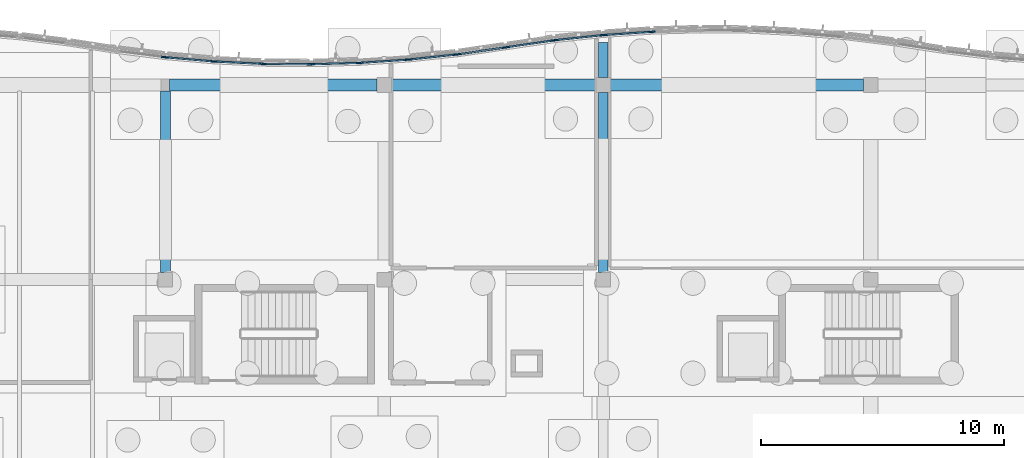
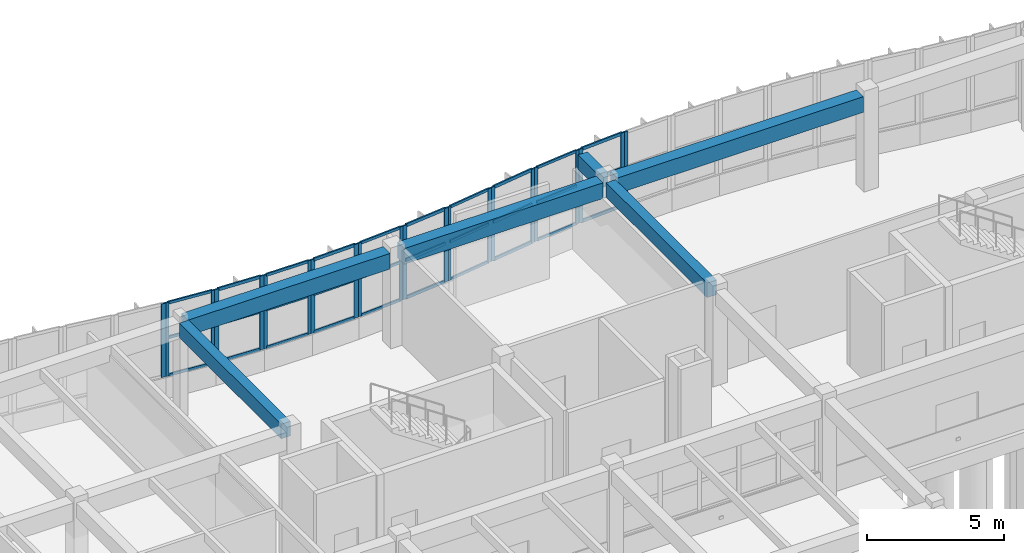
# One storey, part 36 of 99: 52 members, 6 beams, 12 elements without a shape of their own.
"""IFC4 building model written with IfcOpenShell, lengths in metres."""

from ifc_helpers import new_model, si_unit, direction, frame, origin, origin_2d, place, context, subcontext, project, spatial, rectangle, extrude, material, layer, layer_set, material_profile, profile_set, type_object, element, aggregate, save


model = new_model("IFC4")

# Units and contexts
model_context = context("Model", 3, precision=1e-05, world=origin(), true_north=direction((0.0, 1.0)))
body_context = subcontext(model_context, "Body", "Model", "MODEL_VIEW")
ifc_project = project(units=[si_unit("LENGTHUNIT", "METRE"), si_unit("AREAUNIT", "SQUARE_METRE"), si_unit("VOLUMEUNIT", "CUBIC_METRE"), si_unit("PLANEANGLEUNIT", "RADIAN"), si_unit("MASSUNIT", "GRAM", prefix="KILO")], contexts=[model_context])

# Site, building, storey
site_placement = place(None, origin())
site = spatial("IfcSite", under=ifc_project, at=site_placement, CompositionType="ELEMENT")
building_placement = place(site_placement, origin())
building = spatial("IfcBuilding", under=site, at=building_placement, Name="Tonlespit Floodbar School", CompositionType="ELEMENT")
storey_placement = place(building_placement, origin())
storey = spatial("IfcBuildingStorey", under=building, at=storey_placement, Name="L00", CompositionType="ELEMENT", Elevation=0.0)

# Beams
ifc_material_1 = material(Name="Concrete C40/50", Category="concrete")
ifc_material_profile_1 = material_profile(ifc_material_1, rectangle(XDim=0.39990234375, YDim=0.64990234375, at=origin_2d()), Name="RC 400x650")
ifc_profile_set_1 = profile_set([ifc_material_profile_1], Name="Concrete C40/50")
beam_type_1 = type_object("IfcBeamType", Name="Beam_RC_400x650", PredefinedType="BEAM", material=ifc_profile_set_1)
beam_1_placement = place(storey_placement, frame((98.0, 112.300048828125, 3.9150390625), z_axis=(0.0, 1.0, 0.0), x_axis=(-1.0, 0.0, 0.0)))
element("IfcBeam", 1, at=beam_1_placement, inside=storey, type_object=beam_type_1, Name="L00 girder 0254", PredefinedType="BEAM", context=body_context, shape_type="SweptSolid", body=[
    extrude(rectangle(XDim=0.39990234375, YDim=0.64990234375, at=origin_2d()), origin(), (0.0, 0.0, 1.0), 7.449951171875),
])
beam_2_placement = place(storey_placement, frame((116.0, 112.300048828125, 3.9150390625), z_axis=(0.0, 1.0, 0.0), x_axis=(-1.0, 0.0, 0.0)))
element("IfcBeam", 2, at=beam_2_placement, inside=storey, type_object=beam_type_1, Name="L00 girder 0260", PredefinedType="BEAM", context=body_context, shape_type="SweptSolid", body=[
    extrude(rectangle(XDim=0.39990234375, YDim=0.64990234375, at=origin_2d()), origin(), (0.0, 0.0, 1.0), 7.39990234375),
])
beam_3_placement = place(storey_placement, frame((116.0, 120.300048828125, 3.9150390625), z_axis=(0.0, 1.0, 0.0), x_axis=(-1.0, 0.0, 0.0)))
element("IfcBeam", 3, at=beam_3_placement, inside=storey, type_object=beam_type_1, Name="L00 north street wave cantilever bracket", PredefinedType="BEAM", context=body_context, shape_type="SweptSolid", body=[
    extrude(rectangle(XDim=0.39990234375, YDim=0.64990234375, at=origin_2d()), origin(), (0.0, 0.0, 1.0), 1.454345703125),
])

# Curtain wall, members
ifc_material_2 = material(Name="Anodised Aluminium", Category="aluminium")
ifc_layer_1 = layer(ifc_material_2, 0.159912109375)
ifc_layer_set_1 = layer_set([ifc_layer_1], Name="Anodised Aluminium")
curtain_wall_type_1 = type_object("IfcCurtainWallType", Name="CurtainWall_1950x3300", PredefinedType="NOTDEFINED", material=ifc_layer_set_1)
curtain_wall_1_placement = place(storey_placement, origin())
curtain_wall_1 = element("IfcCurtainWall", 4, at=curtain_wall_1_placement, inside=storey, type_object=curtain_wall_type_1, Name="L00 unitised curtain wall 0026", PredefinedType="NOTDEFINED")
ifc_material_profile_2 = material_profile(ifc_material_2, rectangle(XDim=0.06494140625, YDim=0.14990234375, at=origin_2d()), Name="ALU M65x150")
ifc_profile_set_2 = profile_set([ifc_material_profile_2], Name="Anodised Aluminium")
member_type_1 = type_object("IfcMemberType", Name="CW_Mullion_65x150", PredefinedType="MULLION", material=ifc_profile_set_2)
member_1_placement = place(storey_placement, frame((98.072265625, 121.135986328125, 0.949951171875), z_axis=(0.0, 0.0, 1.0), x_axis=(0.086531117454, 0.996249148412, 0.0)))
member_1 = element("IfcMember", 5, at=member_1_placement, type_object=member_type_1, Name="CW-01 mullion 1", PredefinedType="MULLION", context=body_context, shape_type="SweptSolid", body=[
    extrude(rectangle(XDim=0.06494140625, YDim=0.14990234375, at=origin_2d()), origin(), (0.0, 0.0, 1.0), 3.2900390625),
])
member_2_placement = place(storey_placement, frame((99.927734375, 120.974853515625, 0.949951171875), z_axis=(0.0, 0.0, 1.0), x_axis=(0.086531117454, 0.996249148412, 0.0)))
member_2 = element("IfcMember", 6, at=member_2_placement, type_object=member_type_1, Name="CW-01 mullion 2", PredefinedType="MULLION", context=body_context, shape_type="SweptSolid", body=[
    extrude(rectangle(XDim=0.06494140625, YDim=0.14990234375, at=origin_2d()), origin(), (0.0, 0.0, 1.0), 3.2900390625),
])

ifc_layer_2 = layer(ifc_material_2, 0.159912109375)
ifc_layer_set_2 = layer_set([ifc_layer_2], Name="Anodised Aluminium")
curtain_wall_type_2 = type_object("IfcCurtainWallType", Name="CurtainWall_1900x3300", PredefinedType="NOTDEFINED", material=ifc_layer_set_2)
curtain_wall_2_placement = place(storey_placement, origin())
curtain_wall_2 = element("IfcCurtainWall", 7, at=curtain_wall_2_placement, inside=storey, type_object=curtain_wall_type_2, Name="L00 unitised curtain wall 0028", PredefinedType="NOTDEFINED")
member_3_placement = place(storey_placement, frame((102.072509765625, 120.87158203125, 0.949951171875), z_axis=(0.0, 0.0, 1.0), x_axis=(0.009582893292, 0.999954083024, 0.0)))
member_3 = element("IfcMember", 8, at=member_3_placement, type_object=member_type_1, Name="CW-02 mullion 1", PredefinedType="MULLION", context=body_context, shape_type="SweptSolid", body=[
    extrude(rectangle(XDim=0.06494140625, YDim=0.14990234375, at=origin_2d()), origin(), (0.0, 0.0, 1.0), 3.2900390625),
])
member_4_placement = place(storey_placement, frame((103.927490234375, 120.853759765625, 0.949951171875), z_axis=(0.0, 0.0, 1.0), x_axis=(0.009582893292, 0.999954083024, 0.0)))
member_4 = element("IfcMember", 9, at=member_4_placement, type_object=member_type_1, Name="CW-02 mullion 2", PredefinedType="MULLION", context=body_context, shape_type="SweptSolid", body=[
    extrude(rectangle(XDim=0.06494140625, YDim=0.14990234375, at=origin_2d()), origin(), (0.0, 0.0, 1.0), 3.2900390625),
])

curtain_wall_3_placement = place(storey_placement, origin())
curtain_wall_3 = element("IfcCurtainWall", 10, at=curtain_wall_3_placement, inside=storey, type_object=curtain_wall_type_2, Name="L00 unitised curtain wall 0030", PredefinedType="NOTDEFINED")
member_5_placement = place(storey_placement, frame((106.072265625, 120.91552734375, 0.949951171875), z_axis=(0.0, 0.0, 1.0), x_axis=(-0.067339767311, 0.99773010165, 0.0)))
member_5 = element("IfcMember", 11, at=member_5_placement, type_object=member_type_1, Name="CW-02 mullion 1", PredefinedType="MULLION", context=body_context, shape_type="SweptSolid", body=[
    extrude(rectangle(XDim=0.06494140625, YDim=0.14990234375, at=origin_2d()), origin(), (0.0, 0.0, 1.0), 3.2900390625),
])
member_6_placement = place(storey_placement, frame((107.927734375, 121.040771484375, 0.949951171875), z_axis=(0.0, 0.0, 1.0), x_axis=(-0.067339767311, 0.99773010165, 0.0)))
member_6 = element("IfcMember", 12, at=member_6_placement, type_object=member_type_1, Name="CW-02 mullion 2", PredefinedType="MULLION", context=body_context, shape_type="SweptSolid", body=[
    extrude(rectangle(XDim=0.06494140625, YDim=0.14990234375, at=origin_2d()), origin(), (0.0, 0.0, 1.0), 3.2900390625),
])

curtain_wall_4_placement = place(storey_placement, origin())
curtain_wall_4 = element("IfcCurtainWall", 13, at=curtain_wall_4_placement, inside=storey, type_object=curtain_wall_type_1, Name="L00 unitised curtain wall 0032", PredefinedType="NOTDEFINED")
member_7_placement = place(storey_placement, frame((110.07177734375, 121.268798828125, 0.949951171875), z_axis=(0.0, 0.0, 1.0), x_axis=(-0.144248041079, 0.989541561858, 0.0)))
member_7 = element("IfcMember", 14, at=member_7_placement, type_object=member_type_1, Name="CW-01 mullion 1", PredefinedType="MULLION", context=body_context, shape_type="SweptSolid", body=[
    extrude(rectangle(XDim=0.06494140625, YDim=0.14990234375, at=origin_2d()), origin(), (0.0, 0.0, 1.0), 3.2900390625),
])
member_8_placement = place(storey_placement, frame((111.92822265625, 121.53955078125, 0.949951171875), z_axis=(0.0, 0.0, 1.0), x_axis=(-0.144248041079, 0.989541561858, 0.0)))
member_8 = element("IfcMember", 15, at=member_8_placement, type_object=member_type_1, Name="CW-01 mullion 2", PredefinedType="MULLION", context=body_context, shape_type="SweptSolid", body=[
    extrude(rectangle(XDim=0.06494140625, YDim=0.14990234375, at=origin_2d()), origin(), (0.0, 0.0, 1.0), 3.2900390625),
])

curtain_wall_5_placement = place(storey_placement, origin())
curtain_wall_5 = element("IfcCurtainWall", 16, at=curtain_wall_5_placement, inside=storey, type_object=curtain_wall_type_1, Name="L00 unitised curtain wall 0034", PredefinedType="NOTDEFINED")
member_9_placement = place(storey_placement, frame((114.072021484375, 121.84912109375, 0.949951171875), z_axis=(0.0, 0.0, 1.0), x_axis=(-0.105787143968, 0.994388797288, 0.0)))
member_9 = element("IfcMember", 17, at=member_9_placement, type_object=member_type_1, Name="CW-01 mullion 1", PredefinedType="MULLION", context=body_context, shape_type="SweptSolid", body=[
    extrude(rectangle(XDim=0.06494140625, YDim=0.14990234375, at=origin_2d()), origin(), (0.0, 0.0, 1.0), 3.2900390625),
])
member_10_placement = place(storey_placement, frame((115.927978515625, 122.046630859375, 0.949951171875), z_axis=(0.0, 0.0, 1.0), x_axis=(-0.105787143968, 0.994388797288, 0.0)))
member_10 = element("IfcMember", 18, at=member_10_placement, type_object=member_type_1, Name="CW-01 mullion 2", PredefinedType="MULLION", context=body_context, shape_type="SweptSolid", body=[
    extrude(rectangle(XDim=0.06494140625, YDim=0.14990234375, at=origin_2d()), origin(), (0.0, 0.0, 1.0), 3.2900390625),
])

# Curtain wall, member
curtain_wall_6_placement = place(storey_placement, origin())
curtain_wall_6 = element("IfcCurtainWall", 19, at=curtain_wall_6_placement, inside=storey, type_object=curtain_wall_type_2, Name="L00 unitised curtain wall 0340", PredefinedType="NOTDEFINED")
member_11_placement = place(storey_placement, frame((118.072509765625, 122.19140625, 0.949951171875), z_axis=(0.0, 0.0, 1.0), x_axis=(-0.028790144226, 0.999585477883, 0.0)))
member_11 = element("IfcMember", 20, at=member_11_placement, type_object=member_type_1, Name="CW-02 mullion 1", PredefinedType="MULLION", context=body_context, shape_type="SweptSolid", body=[
    extrude(rectangle(XDim=0.06494140625, YDim=0.14990234375, at=origin_2d()), origin(), (0.0, 0.0, 1.0), 3.2900390625),
])
aggregate(curtain_wall_6, [member_11])

curtain_wall_7_placement = place(storey_placement, origin())
curtain_wall_7 = element("IfcCurtainWall", 21, at=curtain_wall_7_placement, inside=storey, type_object=curtain_wall_type_1, Name="L00 unitised curtain wall 0025", PredefinedType="NOTDEFINED")
ifc_material_profile_3 = material_profile(ifc_material_2, rectangle(XDim=0.06494140625, YDim=0.179931640625, at=origin_2d()), Name="ALU M65x180")
ifc_profile_set_3 = profile_set([ifc_material_profile_3], Name="Anodised Aluminium")
member_type_2 = type_object("IfcMemberType", Name="CW_Mullion_65x180", PredefinedType="MULLION", material=ifc_profile_set_3)
member_12_placement = place(storey_placement, frame((97.927978515625, 121.1513671875, 0.949951171875), z_axis=(0.0, 0.0, 1.0), x_axis=(0.125013803299, 0.992155002499, 0.0)))
member_12 = element("IfcMember", 22, at=member_12_placement, type_object=member_type_2, Name="CW-01 mullion 2", PredefinedType="MULLION", context=body_context, shape_type="SweptSolid", body=[
    extrude(rectangle(XDim=0.06494140625, YDim=0.179931640625, at=origin_2d()), origin(), (0.0, 0.0, 1.0), 3.2900390625),
])
aggregate(curtain_wall_7, [member_12])

# Curtain wall, members
curtain_wall_8_placement = place(storey_placement, origin())
curtain_wall_8 = element("IfcCurtainWall", 23, at=curtain_wall_8_placement, inside=storey, type_object=curtain_wall_type_2, Name="L00 unitised curtain wall 0027", PredefinedType="NOTDEFINED")
member_13_placement = place(storey_placement, frame((100.072509765625, 120.965087890625, 0.949951171875), z_axis=(0.0, 0.0, 1.0), x_axis=(0.048121270216, 0.998841500616, 0.0)))
member_13 = element("IfcMember", 24, at=member_13_placement, type_object=member_type_2, Name="CW-02 mullion 1", PredefinedType="MULLION", context=body_context, shape_type="SweptSolid", body=[
    extrude(rectangle(XDim=0.06494140625, YDim=0.179931640625, at=origin_2d()), origin(), (0.0, 0.0, 1.0), 3.2900390625),
])
member_14_placement = place(storey_placement, frame((101.927490234375, 120.875732421875, 0.949951171875), z_axis=(0.0, 0.0, 1.0), x_axis=(0.048121270216, 0.998841500616, 0.0)))
member_14 = element("IfcMember", 25, at=member_14_placement, type_object=member_type_2, Name="CW-02 mullion 2", PredefinedType="MULLION", context=body_context, shape_type="SweptSolid", body=[
    extrude(rectangle(XDim=0.06494140625, YDim=0.179931640625, at=origin_2d()), origin(), (0.0, 0.0, 1.0), 3.2900390625),
])

curtain_wall_9_placement = place(storey_placement, origin())
curtain_wall_9 = element("IfcCurtainWall", 26, at=curtain_wall_9_placement, inside=storey, type_object=curtain_wall_type_2, Name="L00 unitised curtain wall 0029", PredefinedType="NOTDEFINED")
member_15_placement = place(storey_placement, frame((104.072509765625, 120.855224609375, 0.949951171875), z_axis=(0.0, 0.0, 1.0), x_axis=(-0.028790144226, 0.999585477883, 0.0)))
member_15 = element("IfcMember", 27, at=member_15_placement, type_object=member_type_2, Name="CW-02 mullion 1", PredefinedType="MULLION", context=body_context, shape_type="SweptSolid", body=[
    extrude(rectangle(XDim=0.06494140625, YDim=0.179931640625, at=origin_2d()), origin(), (0.0, 0.0, 1.0), 3.2900390625),
])
member_16_placement = place(storey_placement, frame((105.927490234375, 120.908447265625, 0.949951171875), z_axis=(0.0, 0.0, 1.0), x_axis=(-0.028790144226, 0.999585477883, 0.0)))
member_16 = element("IfcMember", 28, at=member_16_placement, type_object=member_type_2, Name="CW-02 mullion 2", PredefinedType="MULLION", context=body_context, shape_type="SweptSolid", body=[
    extrude(rectangle(XDim=0.06494140625, YDim=0.179931640625, at=origin_2d()), origin(), (0.0, 0.0, 1.0), 3.2900390625),
])

curtain_wall_10_placement = place(storey_placement, origin())
curtain_wall_10 = element("IfcCurtainWall", 29, at=curtain_wall_10_placement, inside=storey, type_object=curtain_wall_type_1, Name="L00 unitised curtain wall 0031", PredefinedType="NOTDEFINED")
member_17_placement = place(storey_placement, frame((108.072021484375, 121.05322265625, 0.949951171875), z_axis=(0.0, 0.0, 1.0), x_axis=(-0.105787143968, 0.994388797288, 0.0)))
member_17 = element("IfcMember", 30, at=member_17_placement, type_object=member_type_2, Name="CW-01 mullion 1", PredefinedType="MULLION", context=body_context, shape_type="SweptSolid", body=[
    extrude(rectangle(XDim=0.06494140625, YDim=0.179931640625, at=origin_2d()), origin(), (0.0, 0.0, 1.0), 3.2900390625),
])
member_18_placement = place(storey_placement, frame((109.927978515625, 121.250732421875, 0.949951171875), z_axis=(0.0, 0.0, 1.0), x_axis=(-0.105787143968, 0.994388797288, 0.0)))
member_18 = element("IfcMember", 31, at=member_18_placement, type_object=member_type_2, Name="CW-01 mullion 2", PredefinedType="MULLION", context=body_context, shape_type="SweptSolid", body=[
    extrude(rectangle(XDim=0.06494140625, YDim=0.179931640625, at=origin_2d()), origin(), (0.0, 0.0, 1.0), 3.2900390625),
])

curtain_wall_11_placement = place(storey_placement, origin())
curtain_wall_11 = element("IfcCurtainWall", 32, at=curtain_wall_11_placement, inside=storey, type_object=curtain_wall_type_1, Name="L00 unitised curtain wall 0033", PredefinedType="NOTDEFINED")
member_19_placement = place(storey_placement, frame((112.07177734375, 121.560546875, 0.949951171875), z_axis=(0.0, 0.0, 1.0), x_axis=(-0.144248041079, 0.989541561858, 0.0)))
member_19 = element("IfcMember", 33, at=member_19_placement, type_object=member_type_2, Name="CW-01 mullion 1", PredefinedType="MULLION", context=body_context, shape_type="SweptSolid", body=[
    extrude(rectangle(XDim=0.06494140625, YDim=0.179931640625, at=origin_2d()), origin(), (0.0, 0.0, 1.0), 3.2900390625),
])
member_20_placement = place(storey_placement, frame((113.92822265625, 121.8310546875, 0.949951171875), z_axis=(0.0, 0.0, 1.0), x_axis=(-0.144248041079, 0.989541561858, 0.0)))
member_20 = element("IfcMember", 34, at=member_20_placement, type_object=member_type_2, Name="CW-01 mullion 2", PredefinedType="MULLION", context=body_context, shape_type="SweptSolid", body=[
    extrude(rectangle(XDim=0.06494140625, YDim=0.179931640625, at=origin_2d()), origin(), (0.0, 0.0, 1.0), 3.2900390625),
])

curtain_wall_12_placement = place(storey_placement, origin())
curtain_wall_12 = element("IfcCurtainWall", 35, at=curtain_wall_12_placement, inside=storey, type_object=curtain_wall_type_2, Name="L00 unitised curtain wall 0339", PredefinedType="NOTDEFINED")
member_21_placement = place(storey_placement, frame((116.072265625, 122.05908203125, 0.949951171875), z_axis=(0.0, 0.0, 1.0), x_axis=(-0.067339767311, 0.99773010165, 0.0)))
member_21 = element("IfcMember", 36, at=member_21_placement, type_object=member_type_2, Name="CW-02 mullion 1", PredefinedType="MULLION", context=body_context, shape_type="SweptSolid", body=[
    extrude(rectangle(XDim=0.06494140625, YDim=0.179931640625, at=origin_2d()), origin(), (0.0, 0.0, 1.0), 3.2900390625),
])
member_22_placement = place(storey_placement, frame((117.927734375, 122.184326171875, 0.949951171875), z_axis=(0.0, 0.0, 1.0), x_axis=(-0.067339767311, 0.99773010165, 0.0)))
member_22 = element("IfcMember", 37, at=member_22_placement, type_object=member_type_2, Name="CW-02 mullion 2", PredefinedType="MULLION", context=body_context, shape_type="SweptSolid", body=[
    extrude(rectangle(XDim=0.06494140625, YDim=0.179931640625, at=origin_2d()), origin(), (0.0, 0.0, 1.0), 3.2900390625),
])

# Member
ifc_material_profile_4 = material_profile(ifc_material_2, rectangle(XDim=0.06494140625, YDim=0.1201171875, at=origin_2d()), Name="ALU T65x120")
ifc_profile_set_4 = profile_set([ifc_material_profile_4], Name="Anodised Aluminium")
member_type_3 = type_object("IfcMemberType", Name="CW_Transom_65x120", PredefinedType="USERDEFINED", material=ifc_profile_set_4)
member_23_placement = place(storey_placement, frame((98.1044921875, 121.133056640625, 0.982421875), z_axis=(0.996251281774, -0.086506552139, 0.0), x_axis=(0.086506552139, 0.996251281774, 0.0)))
member_23 = element("IfcMember", 38, at=member_23_placement, type_object=member_type_3, Name="CW-01 transom 1.1", ObjectType="TRANSOM", PredefinedType="USERDEFINED", context=body_context, shape_type="SweptSolid", body=[
    extrude(rectangle(XDim=0.06494140625, YDim=0.1201171875, at=origin_2d()), origin(), (0.0, 0.0, 1.0), 1.7978515625),
])

member_24_placement = place(storey_placement, frame((98.1044921875, 121.133056640625, 2.660888671875), z_axis=(0.996251281774, -0.086506552139, 0.0), x_axis=(0.086506552139, 0.996251281774, 0.0)))
member_24 = element("IfcMember", 39, at=member_24_placement, type_object=member_type_3, Name="CW-01 transom 1.2", ObjectType="TRANSOM", PredefinedType="USERDEFINED", context=body_context, shape_type="SweptSolid", body=[
    extrude(rectangle(XDim=0.06494140625, YDim=0.1201171875, at=origin_2d()), origin(), (0.0, 0.0, 1.0), 1.7978515625),
])

member_25_placement = place(storey_placement, frame((98.1044921875, 121.133056640625, 4.20751953125), z_axis=(0.996251281774, -0.086506552139, 0.0), x_axis=(0.086506552139, 0.996251281774, 0.0)))
member_25 = element("IfcMember", 40, at=member_25_placement, type_object=member_type_3, Name="CW-01 transom 1.3", ObjectType="TRANSOM", PredefinedType="USERDEFINED", context=body_context, shape_type="SweptSolid", body=[
    extrude(rectangle(XDim=0.06494140625, YDim=0.1201171875, at=origin_2d()), origin(), (0.0, 0.0, 1.0), 1.7978515625),
])

aggregate(curtain_wall_1, [member_1, member_2, member_23, member_24, member_25])

member_26_placement = place(storey_placement, frame((102.10498046875, 120.87109375, 0.982421875), z_axis=(0.999954428693, -0.00954675532, 0.0), x_axis=(0.00954675532, 0.999954428693, 0.0)))
member_26 = element("IfcMember", 41, at=member_26_placement, type_object=member_type_3, Name="CW-02 transom 1.1", ObjectType="TRANSOM", PredefinedType="USERDEFINED", context=body_context, shape_type="SweptSolid", body=[
    extrude(rectangle(XDim=0.06494140625, YDim=0.1201171875, at=origin_2d()), origin(), (0.0, 0.0, 1.0), 1.7900390625),
])

member_27_placement = place(storey_placement, frame((102.10498046875, 120.87109375, 2.660888671875), z_axis=(0.999954428693, -0.00954675532, 0.0), x_axis=(0.00954675532, 0.999954428693, 0.0)))
member_27 = element("IfcMember", 42, at=member_27_placement, type_object=member_type_3, Name="CW-02 transom 1.2", ObjectType="TRANSOM", PredefinedType="USERDEFINED", context=body_context, shape_type="SweptSolid", body=[
    extrude(rectangle(XDim=0.06494140625, YDim=0.1201171875, at=origin_2d()), origin(), (0.0, 0.0, 1.0), 1.7900390625),
])

member_28_placement = place(storey_placement, frame((102.10498046875, 120.87109375, 4.20751953125), z_axis=(0.999954428693, -0.00954675532, 0.0), x_axis=(0.00954675532, 0.999954428693, 0.0)))
member_28 = element("IfcMember", 43, at=member_28_placement, type_object=member_type_3, Name="CW-02 transom 1.3", ObjectType="TRANSOM", PredefinedType="USERDEFINED", context=body_context, shape_type="SweptSolid", body=[
    extrude(rectangle(XDim=0.06494140625, YDim=0.1201171875, at=origin_2d()), origin(), (0.0, 0.0, 1.0), 1.7900390625),
])

aggregate(curtain_wall_2, [member_3, member_4, member_26, member_27, member_28])

member_29_placement = place(storey_placement, frame((106.104736328125, 120.917724609375, 0.982421875), z_axis=(0.997730041674, 0.067340655935, 0.0), x_axis=(-0.067340655935, 0.997730041674, 0.0)))
member_29 = element("IfcMember", 44, at=member_29_placement, type_object=member_type_3, Name="CW-02 transom 1.1", ObjectType="TRANSOM", PredefinedType="USERDEFINED", context=body_context, shape_type="SweptSolid", body=[
    extrude(rectangle(XDim=0.06494140625, YDim=0.1201171875, at=origin_2d()), origin(), (0.0, 0.0, 1.0), 1.794677734375),
])

member_30_placement = place(storey_placement, frame((106.104736328125, 120.917724609375, 2.660888671875), z_axis=(0.997730041674, 0.067340655935, 0.0), x_axis=(-0.067340655935, 0.997730041674, 0.0)))
member_30 = element("IfcMember", 45, at=member_30_placement, type_object=member_type_3, Name="CW-02 transom 1.2", ObjectType="TRANSOM", PredefinedType="USERDEFINED", context=body_context, shape_type="SweptSolid", body=[
    extrude(rectangle(XDim=0.06494140625, YDim=0.1201171875, at=origin_2d()), origin(), (0.0, 0.0, 1.0), 1.794677734375),
])

member_31_placement = place(storey_placement, frame((106.104736328125, 120.917724609375, 4.20751953125), z_axis=(0.997730041674, 0.067340655935, 0.0), x_axis=(-0.067340655935, 0.997730041674, 0.0)))
member_31 = element("IfcMember", 46, at=member_31_placement, type_object=member_type_3, Name="CW-02 transom 1.3", ObjectType="TRANSOM", PredefinedType="USERDEFINED", context=body_context, shape_type="SweptSolid", body=[
    extrude(rectangle(XDim=0.06494140625, YDim=0.1201171875, at=origin_2d()), origin(), (0.0, 0.0, 1.0), 1.794677734375),
])

aggregate(curtain_wall_3, [member_5, member_6, member_29, member_30, member_31])

member_32_placement = place(storey_placement, frame((110.10400390625, 121.273681640625, 0.982421875), z_axis=(0.989541000818, 0.144251889765, 0.0), x_axis=(-0.144251889765, 0.989541000818, 0.0)))
member_32 = element("IfcMember", 47, at=member_32_placement, type_object=member_type_3, Name="CW-01 transom 1.1", ObjectType="TRANSOM", PredefinedType="USERDEFINED", context=body_context, shape_type="SweptSolid", body=[
    extrude(rectangle(XDim=0.06494140625, YDim=0.1201171875, at=origin_2d()), origin(), (0.0, 0.0, 1.0), 1.81103515625),
])

member_33_placement = place(storey_placement, frame((110.10400390625, 121.273681640625, 2.660888671875), z_axis=(0.989541000818, 0.144251889765, 0.0), x_axis=(-0.144251889765, 0.989541000818, 0.0)))
member_33 = element("IfcMember", 48, at=member_33_placement, type_object=member_type_3, Name="CW-01 transom 1.2", ObjectType="TRANSOM", PredefinedType="USERDEFINED", context=body_context, shape_type="SweptSolid", body=[
    extrude(rectangle(XDim=0.06494140625, YDim=0.1201171875, at=origin_2d()), origin(), (0.0, 0.0, 1.0), 1.81103515625),
])

member_34_placement = place(storey_placement, frame((110.10400390625, 121.273681640625, 4.20751953125), z_axis=(0.989541000818, 0.144251889765, 0.0), x_axis=(-0.144251889765, 0.989541000818, 0.0)))
member_34 = element("IfcMember", 49, at=member_34_placement, type_object=member_type_3, Name="CW-01 transom 1.3", ObjectType="TRANSOM", PredefinedType="USERDEFINED", context=body_context, shape_type="SweptSolid", body=[
    extrude(rectangle(XDim=0.06494140625, YDim=0.1201171875, at=origin_2d()), origin(), (0.0, 0.0, 1.0), 1.81103515625),
])

aggregate(curtain_wall_4, [member_7, member_8, member_32, member_33, member_34])

member_35_placement = place(storey_placement, frame((114.1044921875, 121.852783203125, 0.982421875), z_axis=(0.994394979136, 0.105729019047, 0.0), x_axis=(-0.105729019047, 0.994394979136, 0.0)))
member_35 = element("IfcMember", 50, at=member_35_placement, type_object=member_type_3, Name="CW-01 transom 1.1", ObjectType="TRANSOM", PredefinedType="USERDEFINED", context=body_context, shape_type="SweptSolid", body=[
    extrude(rectangle(XDim=0.06494140625, YDim=0.1201171875, at=origin_2d()), origin(), (0.0, 0.0, 1.0), 1.801025390625),
])

member_36_placement = place(storey_placement, frame((114.1044921875, 121.852783203125, 2.660888671875), z_axis=(0.994394979136, 0.105729019047, 0.0), x_axis=(-0.105729019047, 0.994394979136, 0.0)))
member_36 = element("IfcMember", 51, at=member_36_placement, type_object=member_type_3, Name="CW-01 transom 1.2", ObjectType="TRANSOM", PredefinedType="USERDEFINED", context=body_context, shape_type="SweptSolid", body=[
    extrude(rectangle(XDim=0.06494140625, YDim=0.1201171875, at=origin_2d()), origin(), (0.0, 0.0, 1.0), 1.801025390625),
])

member_37_placement = place(storey_placement, frame((114.1044921875, 121.852783203125, 4.20751953125), z_axis=(0.994394979136, 0.105729019047, 0.0), x_axis=(-0.105729019047, 0.994394979136, 0.0)))
member_37 = element("IfcMember", 52, at=member_37_placement, type_object=member_type_3, Name="CW-01 transom 1.3", ObjectType="TRANSOM", PredefinedType="USERDEFINED", context=body_context, shape_type="SweptSolid", body=[
    extrude(rectangle(XDim=0.06494140625, YDim=0.1201171875, at=origin_2d()), origin(), (0.0, 0.0, 1.0), 1.801025390625),
])

aggregate(curtain_wall_5, [member_9, member_10, member_35, member_36, member_37])

ifc_material_profile_5 = material_profile(ifc_material_2, rectangle(XDim=0.06494140625, YDim=0.139892578125, at=origin_2d()), Name="ALU T65x140")
ifc_profile_set_5 = profile_set([ifc_material_profile_5], Name="Anodised Aluminium")
member_type_4 = type_object("IfcMemberType", Name="CW_Transom_65x140", PredefinedType="USERDEFINED", material=ifc_profile_set_5)
member_38_placement = place(storey_placement, frame((100.10498046875, 120.96337890625, 0.982421875), z_axis=(0.998843034795, -0.048089415069, 0.0), x_axis=(0.048089415069, 0.998843034795, 0.0)))
member_38 = element("IfcMember", 53, at=member_38_placement, type_object=member_type_4, Name="CW-02 transom 1.1", ObjectType="TRANSOM", PredefinedType="USERDEFINED", context=body_context, shape_type="SweptSolid", body=[
    extrude(rectangle(XDim=0.06494140625, YDim=0.139892578125, at=origin_2d()), origin(), (0.0, 0.0, 1.0), 1.7919921875),
])

member_39_placement = place(storey_placement, frame((100.10498046875, 120.96337890625, 2.660888671875), z_axis=(0.998843034795, -0.048089415069, 0.0), x_axis=(0.048089415069, 0.998843034795, 0.0)))
member_39 = element("IfcMember", 54, at=member_39_placement, type_object=member_type_4, Name="CW-02 transom 1.2", ObjectType="TRANSOM", PredefinedType="USERDEFINED", context=body_context, shape_type="SweptSolid", body=[
    extrude(rectangle(XDim=0.06494140625, YDim=0.139892578125, at=origin_2d()), origin(), (0.0, 0.0, 1.0), 1.7919921875),
])

member_40_placement = place(storey_placement, frame((100.10498046875, 120.96337890625, 4.20751953125), z_axis=(0.998843034795, -0.048089415069, 0.0), x_axis=(0.048089415069, 0.998843034795, 0.0)))
member_40 = element("IfcMember", 55, at=member_40_placement, type_object=member_type_4, Name="CW-02 transom 1.3", ObjectType="TRANSOM", PredefinedType="USERDEFINED", context=body_context, shape_type="SweptSolid", body=[
    extrude(rectangle(XDim=0.06494140625, YDim=0.139892578125, at=origin_2d()), origin(), (0.0, 0.0, 1.0), 1.7919921875),
])

aggregate(curtain_wall_8, [member_13, member_14, member_38, member_39, member_40])

member_41_placement = place(storey_placement, frame((104.10498046875, 120.85595703125, 0.982421875), z_axis=(0.999582242166, 0.028902268868, 0.0), x_axis=(-0.028902268868, 0.999582242166, 0.0)))
member_41 = element("IfcMember", 56, at=member_41_placement, type_object=member_type_4, Name="CW-02 transom 1.1", ObjectType="TRANSOM", PredefinedType="USERDEFINED", context=body_context, shape_type="SweptSolid", body=[
    extrude(rectangle(XDim=0.06494140625, YDim=0.139892578125, at=origin_2d()), origin(), (0.0, 0.0, 1.0), 1.790771484375),
])

member_42_placement = place(storey_placement, frame((104.10498046875, 120.85595703125, 2.660888671875), z_axis=(0.999582242166, 0.028902268868, 0.0), x_axis=(-0.028902268868, 0.999582242166, 0.0)))
member_42 = element("IfcMember", 57, at=member_42_placement, type_object=member_type_4, Name="CW-02 transom 1.2", ObjectType="TRANSOM", PredefinedType="USERDEFINED", context=body_context, shape_type="SweptSolid", body=[
    extrude(rectangle(XDim=0.06494140625, YDim=0.139892578125, at=origin_2d()), origin(), (0.0, 0.0, 1.0), 1.790771484375),
])

member_43_placement = place(storey_placement, frame((104.10498046875, 120.85595703125, 4.20751953125), z_axis=(0.999582242166, 0.028902268868, 0.0), x_axis=(-0.028902268868, 0.999582242166, 0.0)))
member_43 = element("IfcMember", 58, at=member_43_placement, type_object=member_type_4, Name="CW-02 transom 1.3", ObjectType="TRANSOM", PredefinedType="USERDEFINED", context=body_context, shape_type="SweptSolid", body=[
    extrude(rectangle(XDim=0.06494140625, YDim=0.139892578125, at=origin_2d()), origin(), (0.0, 0.0, 1.0), 1.790771484375),
])

aggregate(curtain_wall_9, [member_15, member_16, member_41, member_42, member_43])

member_44_placement = place(storey_placement, frame((108.1044921875, 121.056884765625, 0.982421875), z_axis=(0.994394979136, 0.105729019047, 0.0), x_axis=(-0.105729019047, 0.994394979136, 0.0)))
member_44 = element("IfcMember", 59, at=member_44_placement, type_object=member_type_4, Name="CW-01 transom 1.1", ObjectType="TRANSOM", PredefinedType="USERDEFINED", context=body_context, shape_type="SweptSolid", body=[
    extrude(rectangle(XDim=0.06494140625, YDim=0.139892578125, at=origin_2d()), origin(), (0.0, 0.0, 1.0), 1.801025390625),
])

member_45_placement = place(storey_placement, frame((108.1044921875, 121.056884765625, 2.660888671875), z_axis=(0.994394979136, 0.105729019047, 0.0), x_axis=(-0.105729019047, 0.994394979136, 0.0)))
member_45 = element("IfcMember", 60, at=member_45_placement, type_object=member_type_4, Name="CW-01 transom 1.2", ObjectType="TRANSOM", PredefinedType="USERDEFINED", context=body_context, shape_type="SweptSolid", body=[
    extrude(rectangle(XDim=0.06494140625, YDim=0.139892578125, at=origin_2d()), origin(), (0.0, 0.0, 1.0), 1.801025390625),
])

member_46_placement = place(storey_placement, frame((108.1044921875, 121.056884765625, 4.20751953125), z_axis=(0.994394979136, 0.105729019047, 0.0), x_axis=(-0.105729019047, 0.994394979136, 0.0)))
member_46 = element("IfcMember", 61, at=member_46_placement, type_object=member_type_4, Name="CW-01 transom 1.3", ObjectType="TRANSOM", PredefinedType="USERDEFINED", context=body_context, shape_type="SweptSolid", body=[
    extrude(rectangle(XDim=0.06494140625, YDim=0.139892578125, at=origin_2d()), origin(), (0.0, 0.0, 1.0), 1.801025390625),
])

aggregate(curtain_wall_10, [member_17, member_18, member_44, member_45, member_46])

member_47_placement = place(storey_placement, frame((112.10400390625, 121.565185546875, 0.982421875), z_axis=(0.989541000818, 0.144251889765, 0.0), x_axis=(-0.144251889765, 0.989541000818, 0.0)))
member_47 = element("IfcMember", 62, at=member_47_placement, type_object=member_type_4, Name="CW-01 transom 1.1", ObjectType="TRANSOM", PredefinedType="USERDEFINED", context=body_context, shape_type="SweptSolid", body=[
    extrude(rectangle(XDim=0.06494140625, YDim=0.139892578125, at=origin_2d()), origin(), (0.0, 0.0, 1.0), 1.81103515625),
])

member_48_placement = place(storey_placement, frame((112.10400390625, 121.565185546875, 2.660888671875), z_axis=(0.989541000818, 0.144251889765, 0.0), x_axis=(-0.144251889765, 0.989541000818, 0.0)))
member_48 = element("IfcMember", 63, at=member_48_placement, type_object=member_type_4, Name="CW-01 transom 1.2", ObjectType="TRANSOM", PredefinedType="USERDEFINED", context=body_context, shape_type="SweptSolid", body=[
    extrude(rectangle(XDim=0.06494140625, YDim=0.139892578125, at=origin_2d()), origin(), (0.0, 0.0, 1.0), 1.81103515625),
])

member_49_placement = place(storey_placement, frame((112.10400390625, 121.565185546875, 4.20751953125), z_axis=(0.989541000818, 0.144251889765, 0.0), x_axis=(-0.144251889765, 0.989541000818, 0.0)))
member_49 = element("IfcMember", 64, at=member_49_placement, type_object=member_type_4, Name="CW-01 transom 1.3", ObjectType="TRANSOM", PredefinedType="USERDEFINED", context=body_context, shape_type="SweptSolid", body=[
    extrude(rectangle(XDim=0.06494140625, YDim=0.139892578125, at=origin_2d()), origin(), (0.0, 0.0, 1.0), 1.81103515625),
])

aggregate(curtain_wall_11, [member_19, member_20, member_47, member_48, member_49])

member_50_placement = place(storey_placement, frame((116.104736328125, 122.061279296875, 0.982421875), z_axis=(0.997730041674, 0.067340655935, 0.0), x_axis=(-0.067340655935, 0.997730041674, 0.0)))
member_50 = element("IfcMember", 65, at=member_50_placement, type_object=member_type_4, Name="CW-02 transom 1.1", ObjectType="TRANSOM", PredefinedType="USERDEFINED", context=body_context, shape_type="SweptSolid", body=[
    extrude(rectangle(XDim=0.06494140625, YDim=0.139892578125, at=origin_2d()), origin(), (0.0, 0.0, 1.0), 1.794677734375),
])

member_51_placement = place(storey_placement, frame((116.104736328125, 122.061279296875, 2.660888671875), z_axis=(0.997730041674, 0.067340655935, 0.0), x_axis=(-0.067340655935, 0.997730041674, 0.0)))
member_51 = element("IfcMember", 66, at=member_51_placement, type_object=member_type_4, Name="CW-02 transom 1.2", ObjectType="TRANSOM", PredefinedType="USERDEFINED", context=body_context, shape_type="SweptSolid", body=[
    extrude(rectangle(XDim=0.06494140625, YDim=0.139892578125, at=origin_2d()), origin(), (0.0, 0.0, 1.0), 1.794677734375),
])

member_52_placement = place(storey_placement, frame((116.104736328125, 122.061279296875, 4.20751953125), z_axis=(0.997730041674, 0.067340655935, 0.0), x_axis=(-0.067340655935, 0.997730041674, 0.0)))
member_52 = element("IfcMember", 67, at=member_52_placement, type_object=member_type_4, Name="CW-02 transom 1.3", ObjectType="TRANSOM", PredefinedType="USERDEFINED", context=body_context, shape_type="SweptSolid", body=[
    extrude(rectangle(XDim=0.06494140625, YDim=0.139892578125, at=origin_2d()), origin(), (0.0, 0.0, 1.0), 1.794677734375),
])

aggregate(curtain_wall_12, [member_21, member_22, member_50, member_51, member_52])

# Beams
ifc_material_profile_6 = material_profile(ifc_material_1, rectangle(XDim=0.5, YDim=0.699951171875, at=origin_2d()), Name="RC 500x700")
ifc_profile_set_6 = profile_set([ifc_material_profile_6], Name="Concrete C40/50")
beam_type_2 = type_object("IfcBeamType", Name="Spandrel_RC_500x700", PredefinedType="SPANDREL", material=ifc_profile_set_6)
beam_4_placement = place(storey_placement, frame((98.175048828125, 120.0, 3.889892578125), z_axis=(1.0, 0.0, 0.0), x_axis=(0.0, 1.0, 0.0)))
element("IfcBeam", 68, at=beam_4_placement, inside=storey, type_object=beam_type_2, Name="L00 girder 0157", PredefinedType="SPANDREL", context=body_context, shape_type="SweptSolid", body=[
    extrude(rectangle(XDim=0.5, YDim=0.699951171875, at=origin_2d()), origin(), (0.0, 0.0, 1.0), 8.52490234375),
])
beam_5_placement = place(storey_placement, frame((107.300048828125, 120.0, 3.889892578125), z_axis=(1.0, 0.0, 0.0), x_axis=(0.0, 1.0, 0.0)))
element("IfcBeam", 69, at=beam_5_placement, inside=storey, type_object=beam_type_2, Name="L00 girder 0158", PredefinedType="SPANDREL", context=body_context, shape_type="SweptSolid", body=[
    extrude(rectangle(XDim=0.5, YDim=0.699951171875, at=origin_2d()), origin(), (0.0, 0.0, 1.0), 8.39990234375),
])
beam_6_placement = place(storey_placement, frame((116.300048828125, 120.0, 3.889892578125), z_axis=(1.0, 0.0, 0.0), x_axis=(0.0, 1.0, 0.0)))
element("IfcBeam", 70, at=beam_6_placement, inside=storey, type_object=beam_type_2, Name="L00 girder 0159", PredefinedType="SPANDREL", context=body_context, shape_type="SweptSolid", body=[
    extrude(rectangle(XDim=0.5, YDim=0.699951171875, at=origin_2d()), origin(), (0.0, 0.0, 1.0), 10.39990234375),
])

save(model, "model.ifc")
